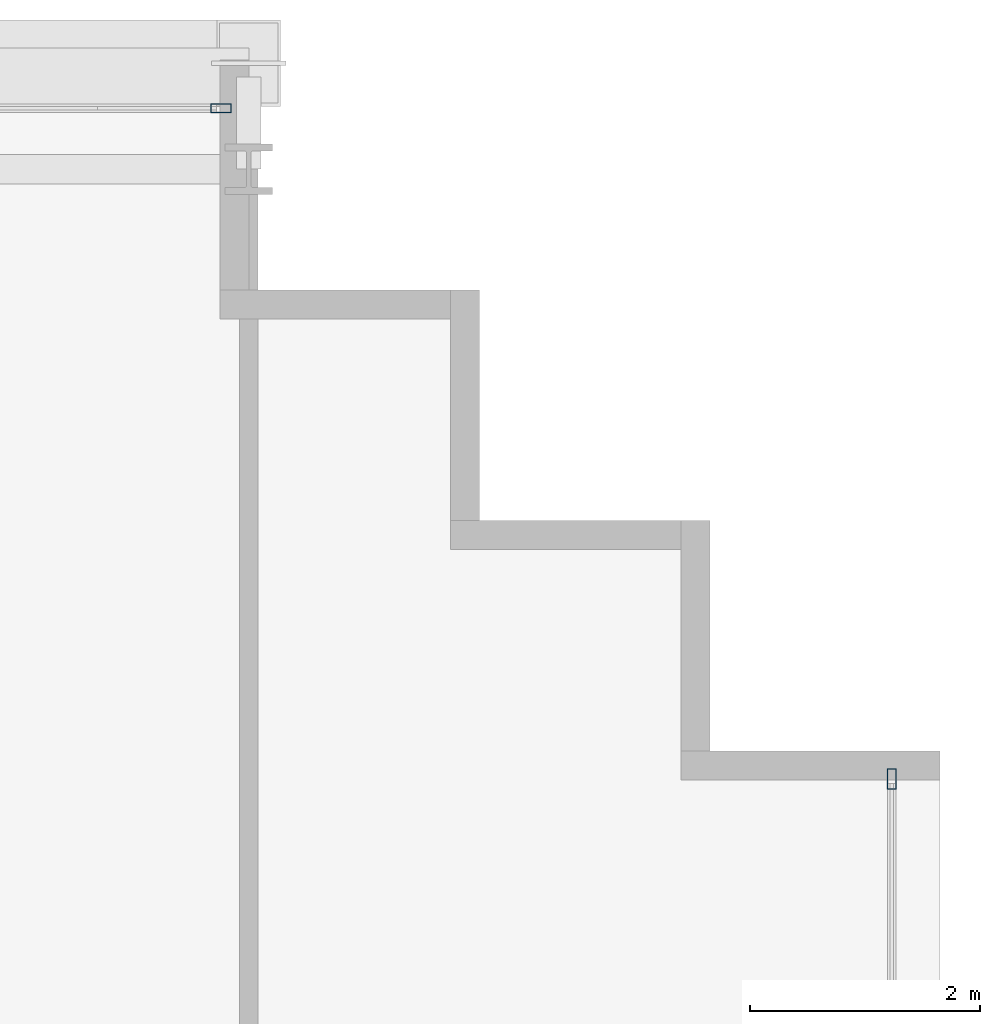
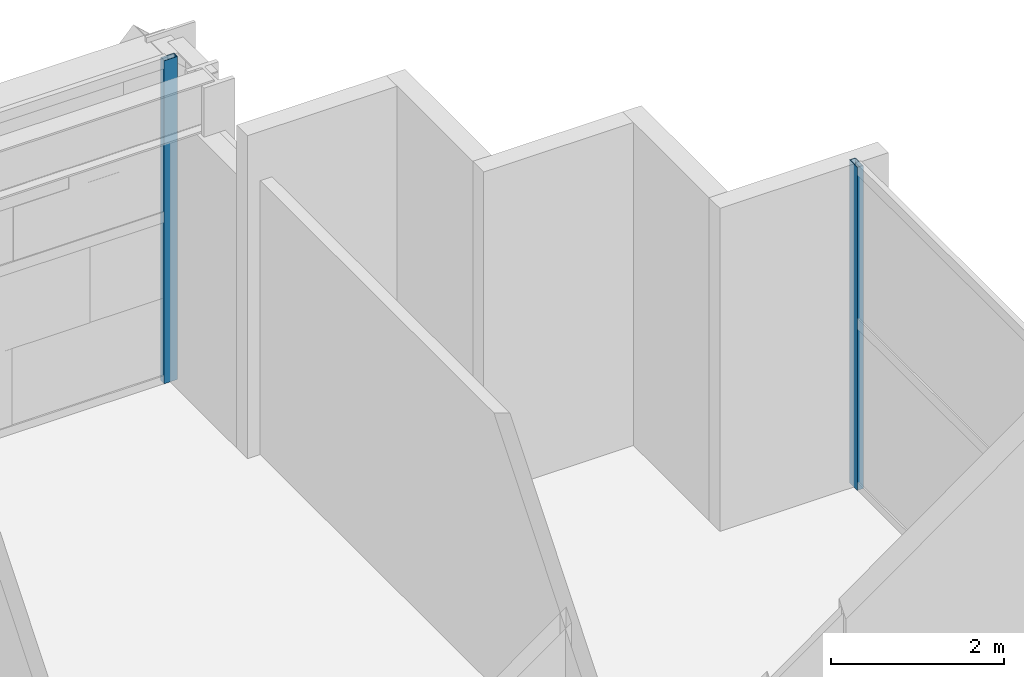
# One storey, part 24 of 38: 2 members, 2 elements without a shape of their own.
"""IFC4 building model written with IfcOpenShell, lengths in metres."""

from ifc_helpers import new_model, si_unit, direction, frame, origin, origin_2d, place, context, subcontext, project, spatial, hollow_rectangle, extrude, source, transform, mapped, material, layer, layer_set, material_profile, profile_set, type_object, element, aggregate, save


model = new_model("IFC4")

# Units and contexts
model_context = context("Model", 3, precision=1e-05, world=origin(), true_north=direction((0.0, 1.0)))
body_context = subcontext(model_context, "Body", "Model", "MODEL_VIEW")
ifc_project = project(units=[si_unit("LENGTHUNIT", "METRE"), si_unit("AREAUNIT", "SQUARE_METRE"), si_unit("VOLUMEUNIT", "CUBIC_METRE"), si_unit("PLANEANGLEUNIT", "RADIAN"), si_unit("MASSUNIT", "GRAM", prefix="KILO")], contexts=[model_context])

# Site, building, storey
site_placement = place(None, origin())
site = spatial("IfcSite", under=ifc_project, at=site_placement, CompositionType="ELEMENT")
building_placement = place(site_placement, origin())
building = spatial("IfcBuilding", under=site, at=building_placement, Name="Ocotamira Hotel", CompositionType="ELEMENT")
storey_placement = place(building_placement, frame((0.0, 0.0, 92.39990234375)))
storey = spatial("IfcBuildingStorey", under=building, at=storey_placement, Name="L22", CompositionType="ELEMENT", Elevation=92.39990234375)

# Curtain wall, member
ifc_material_1 = material(Name="Anodised pale-metal aluminium and solar glass", Category="aluminium")
ifc_layer = layer(ifc_material_1, 0.239990234375)
ifc_layer_set = layer_set([ifc_layer], Name="Anodised pale-metal aluminium and solar glass")
curtain_wall_type = type_object("IfcCurtainWallType", Name="CW-SYS5-SKY", PredefinedType="NOTDEFINED", material=ifc_layer_set)
curtain_wall_1_placement = place(storey_placement, origin())
curtain_wall_1 = element("IfcCurtainWall", 1, at=curtain_wall_1_placement, inside=storey, type_object=curtain_wall_type, Name="L22 Curtain Wall CW-5 CW-L22-N", PredefinedType="NOTDEFINED")
ifc_material_2 = material(Name="Anodised pale-metal aluminium 6063-T6", Category="aluminium")
ifc_material_profile = material_profile(ifc_material_2, hollow_rectangle(XDim=0.080078125, YDim=0.179931640625, WallThickness=0.006103515625, at=origin_2d()), Name="HSS180X80X6")
ifc_profile_set = profile_set([ifc_material_profile], Name="Anodised pale-metal aluminium 6063-T6")
member_type = type_object("IfcMemberType", Name="CWM-180X75", PredefinedType="MULLION", material=ifc_profile_set)
shared_shape = source(origin(), body_context, "Body", "SweptSolid", [
    extrude(hollow_rectangle(XDim=0.080078125, YDim=0.179931640625, WallThickness=0.006103515625, at=origin_2d()), origin(), (0.0, 0.0, 1.0), 4.56005859375),
])
member_1_placement = place(storey_placement, frame((49.760009765625, 49.580078125, 0.0), z_axis=(0.0, 0.0, 1.0), x_axis=(0.0, 1.0, 0.0)))
member_1 = element("IfcMember", 2, at=member_1_placement, type_object=member_type, Name="CW-5 mullion 10", PredefinedType="MULLION", context=body_context, shape_type="MappedRepresentation", body=[
    mapped(shared_shape, transform((0.0, 0.0, 0.0), scale=1.0)),
])
aggregate(curtain_wall_1, [member_1])

curtain_wall_2_placement = place(storey_placement, origin())
curtain_wall_2 = element("IfcCurtainWall", 3, at=curtain_wall_2_placement, inside=storey, type_object=curtain_wall_type, Name="L22 Curtain Wall CW-5 CW-L22-E", PredefinedType="NOTDEFINED")
member_2_placement = place(storey_placement, frame((55.580078125, 43.760009765625, 0.0), z_axis=(0.0, 0.0, 1.0), x_axis=(-1.0, 0.0, 0.0)))
member_2 = element("IfcMember", 4, at=member_2_placement, type_object=member_type, Name="CW-5 mullion 8", PredefinedType="MULLION", context=body_context, shape_type="MappedRepresentation", body=[
    mapped(shared_shape, transform((0.0, 0.0, 0.0), scale=1.0)),
])
aggregate(curtain_wall_2, [member_2])

save(model, "model.ifc")
